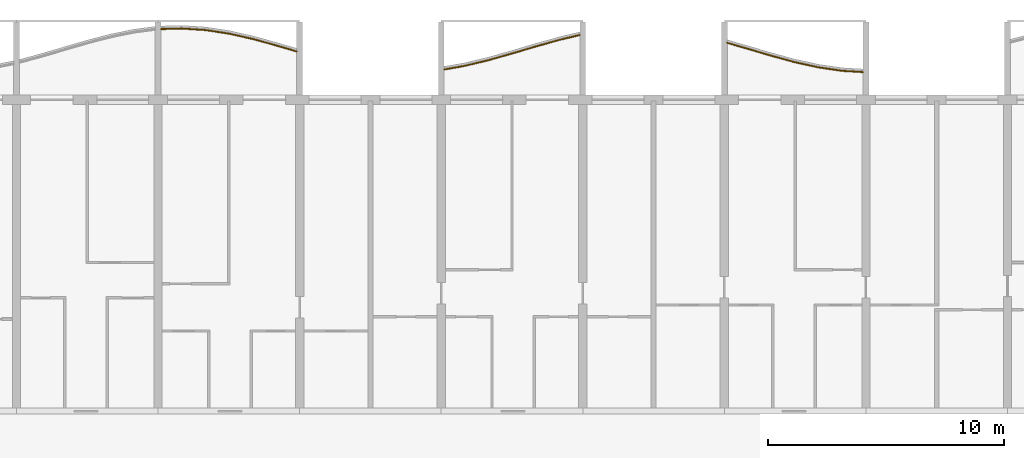
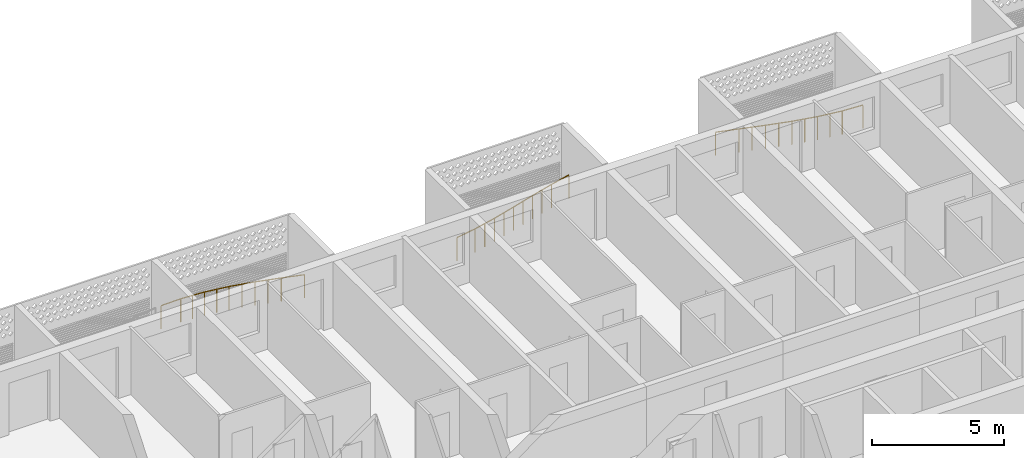
# One storey, part 21 of 25: 3 railings.
"""IFC4 building model written with IfcOpenShell, lengths in metres."""

from ifc_helpers import new_model, si_unit, direction, frame, origin, origin_2d, place, context, subcontext, project, spatial, circle, extrude, material, type_object, element, save


model = new_model("IFC4")

# Units and contexts
model_context = context("Model", 3, precision=1e-05, world=origin(), true_north=direction((0.0, 1.0)))
body_context = subcontext(model_context, "Body", "Model", "MODEL_VIEW")
ifc_project = project(units=[si_unit("LENGTHUNIT", "METRE"), si_unit("AREAUNIT", "SQUARE_METRE"), si_unit("VOLUMEUNIT", "CUBIC_METRE"), si_unit("PLANEANGLEUNIT", "RADIAN"), si_unit("MASSUNIT", "GRAM", prefix="KILO")], contexts=[model_context])

# Site, building, storey
site_placement = place(None, origin())
site = spatial("IfcSite", under=ifc_project, at=site_placement, CompositionType="ELEMENT")
building_placement = place(site_placement, origin())
building = spatial("IfcBuilding", under=site, at=building_placement, Name="Poui Terraces", CompositionType="ELEMENT")
storey_placement = place(building_placement, frame((0.0, 0.0, 89.39990234375)))
storey = spatial("IfcBuildingStorey", under=building, at=storey_placement, Name="L24", CompositionType="ELEMENT", Elevation=89.39990234375)

# Railings
ifc_material = material(Name="Painted steel fretwork", Category="steel")
railing_type = type_object("IfcRailingType", Name="BALCONY GUARD 1100", PredefinedType="GUARDRAIL", material=ifc_material)
railing_1_placement = place(storey_placement, frame((36.125, 46.595947265625, 0.0)))
element("IfcRailing", 1, at=railing_1_placement, inside=storey, type_object=railing_type, Name="BALCONY GUARD", PredefinedType="GUARDRAIL", context=body_context, shape_type="SweptSolid", body=[
    extrude(circle(Radius=0.02392578125, at=origin_2d()), frame((0.0, 0.0, 1.076171875), z_axis=(0.999663503425, 0.025939929079, 0.0), x_axis=(-0.025939929079, 0.999663503425, 0.0)), (0.0, 0.0, 1.0), 0.875244140625),
    extrude(circle(Radius=0.02392578125, at=origin_2d()), frame((0.875, 0.022705078125, 1.076171875), z_axis=(0.998006805525, -0.063106387361, 0.0), x_axis=(0.063106387361, 0.998006805525, 0.0)), (0.0, 0.0, 1.0), 1.001953125),
    extrude(circle(Radius=0.02392578125, at=origin_2d()), frame((1.875, -0.04052734375, 1.076171875), z_axis=(0.988665614785, -0.15013428037, 0.0), x_axis=(0.15013428037, 0.988665614785, 0.0)), (0.0, 0.0, 1.0), 1.011474609375),
    extrude(circle(Radius=0.02392578125, at=origin_2d()), frame((2.875, -0.1923828125, 1.076171875), z_axis=(0.975640353268, -0.219376163418, 0.0), x_axis=(0.219376163418, 0.975640353268, 0.0)), (0.0, 0.0, 1.0), 1.02490234375),
    extrude(circle(Radius=0.02392578125, at=origin_2d()), frame((3.875, -0.417236328125, 1.076171875), z_axis=(0.964349713042, -0.264631122426, 0.0), x_axis=(0.264631122426, 0.964349713042, 0.0)), (0.0, 0.0, 1.0), 1.036865234375),
    extrude(circle(Radius=0.02392578125, at=origin_2d()), frame((4.875, -0.691650390625, 1.076171875), z_axis=(0.958865561228, -0.283860591647, 0.0), x_axis=(0.283860591647, 0.958865561228, 0.0)), (0.0, 0.0, 1.0), 0.91259765625),
    extrude(circle(Radius=0.02099609375, at=origin_2d()), origin(), (0.0, 0.0, 1.0), 1.052001953125),
    extrude(circle(Radius=0.02099609375, at=origin_2d()), frame((0.875, 0.022705078125, 0.0)), (0.0, 0.0, 1.0), 1.052001953125),
    extrude(circle(Radius=0.02099609375, at=origin_2d()), frame((1.375, -0.0087890625, 0.0)), (0.0, 0.0, 1.0), 1.052001953125),
    extrude(circle(Radius=0.02099609375, at=origin_2d()), frame((1.875, -0.04052734375, 0.0)), (0.0, 0.0, 1.0), 1.052001953125),
    extrude(circle(Radius=0.02099609375, at=origin_2d()), frame((2.375, -0.116455078125, 0.0)), (0.0, 0.0, 1.0), 1.052001953125),
    extrude(circle(Radius=0.02099609375, at=origin_2d()), frame((2.875, -0.1923828125, 0.0)), (0.0, 0.0, 1.0), 1.052001953125),
    extrude(circle(Radius=0.02099609375, at=origin_2d()), frame((3.375, -0.3046875, 0.0)), (0.0, 0.0, 1.0), 1.052001953125),
    extrude(circle(Radius=0.02099609375, at=origin_2d()), frame((3.875, -0.417236328125, 0.0)), (0.0, 0.0, 1.0), 1.052001953125),
    extrude(circle(Radius=0.02099609375, at=origin_2d()), frame((4.375, -0.554443359375, 0.0)), (0.0, 0.0, 1.0), 1.052001953125),
    extrude(circle(Radius=0.02099609375, at=origin_2d()), frame((4.875, -0.691650390625, 0.0)), (0.0, 0.0, 1.0), 1.052001953125),
    extrude(circle(Radius=0.02099609375, at=origin_2d()), frame((5.75, -0.95068359375, 0.0)), (0.0, 0.0, 1.0), 1.052001953125),
])
railing_2_placement = place(storey_placement, frame((48.125, 44.8818359375, 0.0)))
element("IfcRailing", 2, at=railing_2_placement, inside=storey, type_object=railing_type, Name="BALCONY GUARD", PredefinedType="GUARDRAIL", context=body_context, shape_type="SweptSolid", body=[
    extrude(circle(Radius=0.02392578125, at=origin_2d()), frame((0.0, 0.0, 1.076171875), z_axis=(0.984711559518, 0.174192837258, 0.0), x_axis=(-0.174192837258, 0.984711559518, 0.0)), (0.0, 0.0, 1.0), 0.888671875),
    extrude(circle(Radius=0.02392578125, at=origin_2d()), frame((0.875, 0.15478515625, 1.076171875), z_axis=(0.972497106951, 0.232914956523, 0.0), x_axis=(-0.232914956523, 0.972497106951, 0.0)), (0.0, 0.0, 1.0), 1.0283203125),
    extrude(circle(Radius=0.02392578125, at=origin_2d()), frame((1.875, 0.394287109375, 1.076171875), z_axis=(0.962282666556, 0.272051593719, 0.0), x_axis=(-0.272051593719, 0.962282666556, 0.0)), (0.0, 0.0, 1.0), 1.039306640625),
    extrude(circle(Radius=0.02392578125, at=origin_2d()), frame((2.875, 0.677001953125, 1.076171875), z_axis=(0.958646866278, 0.284598288426, 0.0), x_axis=(-0.284598288426, 0.958646866278, 0.0)), (0.0, 0.0, 1.0), 1.043212890625),
    extrude(circle(Radius=0.02392578125, at=origin_2d()), frame((3.875, 0.973876953125, 1.076171875), z_axis=(0.962956694383, 0.269656086049, 0.0), x_axis=(-0.269656086049, 0.962956694383, 0.0)), (0.0, 0.0, 1.0), 1.03857421875),
    extrude(circle(Radius=0.02392578125, at=origin_2d()), frame((4.875, 1.25390625, 1.076171875), z_axis=(0.972642909815, 0.232305337835, 0.0), x_axis=(-0.232305337835, 0.972642909815, 0.0)), (0.0, 0.0, 1.0), 0.899658203125),
    extrude(circle(Radius=0.02099609375, at=origin_2d()), origin(), (0.0, 0.0, 1.0), 1.052001953125),
    extrude(circle(Radius=0.02099609375, at=origin_2d()), frame((0.875, 0.15478515625, 0.0)), (0.0, 0.0, 1.0), 1.052001953125),
    extrude(circle(Radius=0.02099609375, at=origin_2d()), frame((1.375, 0.2744140625, 0.0)), (0.0, 0.0, 1.0), 1.052001953125),
    extrude(circle(Radius=0.02099609375, at=origin_2d()), frame((1.875, 0.394287109375, 0.0)), (0.0, 0.0, 1.0), 1.052001953125),
    extrude(circle(Radius=0.02099609375, at=origin_2d()), frame((2.375, 0.53564453125, 0.0)), (0.0, 0.0, 1.0), 1.052001953125),
    extrude(circle(Radius=0.02099609375, at=origin_2d()), frame((2.875, 0.677001953125, 0.0)), (0.0, 0.0, 1.0), 1.052001953125),
    extrude(circle(Radius=0.02099609375, at=origin_2d()), frame((3.375, 0.825439453125, 0.0)), (0.0, 0.0, 1.0), 1.052001953125),
    extrude(circle(Radius=0.02099609375, at=origin_2d()), frame((3.875, 0.973876953125, 0.0)), (0.0, 0.0, 1.0), 1.052001953125),
    extrude(circle(Radius=0.02099609375, at=origin_2d()), frame((4.375, 1.11376953125, 0.0)), (0.0, 0.0, 1.0), 1.052001953125),
    extrude(circle(Radius=0.02099609375, at=origin_2d()), frame((4.875, 1.25390625, 0.0)), (0.0, 0.0, 1.0), 1.052001953125),
    extrude(circle(Radius=0.02099609375, at=origin_2d()), frame((5.75, 1.462890625, 0.0)), (0.0, 0.0, 1.0), 1.052001953125),
])
railing_3_placement = place(storey_placement, frame((60.125, 46.011474609375, 0.0)))
element("IfcRailing", 3, at=railing_3_placement, inside=storey, type_object=railing_type, Name="BALCONY GUARD", PredefinedType="GUARDRAIL", context=body_context, shape_type="SweptSolid", body=[
    extrude(circle(Radius=0.02392578125, at=origin_2d()), frame((0.0, 0.0, 1.076171875), z_axis=(0.960239707098, -0.279176834485, 0.0), x_axis=(0.279176834485, 0.960239707098, 0.0)), (0.0, 0.0, 1.0), 0.9111328125),
    extrude(circle(Radius=0.02392578125, at=origin_2d()), frame((0.875, -0.25439453125, 1.076171875), z_axis=(0.959029275123, -0.283306988012, 0.0), x_axis=(0.283306988012, 0.959029275123, 0.0)), (0.0, 0.0, 1.0), 1.042724609375),
    extrude(circle(Radius=0.02392578125, at=origin_2d()), frame((1.875, -0.5498046875, 1.076171875), z_axis=(0.965067658743, -0.262000790167, 0.0), x_axis=(0.262000790167, 0.965067658743, 0.0)), (0.0, 0.0, 1.0), 1.0361328125),
    extrude(circle(Radius=0.02392578125, at=origin_2d()), frame((2.875, -0.8212890625, 1.076171875), z_axis=(0.97675043296, -0.214379550593, 0.0), x_axis=(0.214379550593, 0.97675043296, 0.0)), (0.0, 0.0, 1.0), 1.023681640625),
    extrude(circle(Radius=0.02392578125, at=origin_2d()), frame((3.875, -1.040771484375, 1.076171875), z_axis=(0.989647671833, -0.143518241472, 0.0), x_axis=(0.143518241472, 0.989647671833, 0.0)), (0.0, 0.0, 1.0), 1.010498046875),
    extrude(circle(Radius=0.02392578125, at=origin_2d()), frame((4.875, -1.185791015625, 1.076171875), z_axis=(0.998138306731, -0.060991152113, 0.0), x_axis=(0.060991152113, 0.998138306731, 0.0)), (0.0, 0.0, 1.0), 0.876708984375),
    extrude(circle(Radius=0.02099609375, at=origin_2d()), origin(), (0.0, 0.0, 1.0), 1.052001953125),
    extrude(circle(Radius=0.02099609375, at=origin_2d()), frame((0.875, -0.25439453125, 0.0)), (0.0, 0.0, 1.0), 1.052001953125),
    extrude(circle(Radius=0.02099609375, at=origin_2d()), frame((1.375, -0.402099609375, 0.0)), (0.0, 0.0, 1.0), 1.052001953125),
    extrude(circle(Radius=0.02099609375, at=origin_2d()), frame((1.875, -0.5498046875, 0.0)), (0.0, 0.0, 1.0), 1.052001953125),
    extrude(circle(Radius=0.02099609375, at=origin_2d()), frame((2.375, -0.685546875, 0.0)), (0.0, 0.0, 1.0), 1.052001953125),
    extrude(circle(Radius=0.02099609375, at=origin_2d()), frame((2.875, -0.8212890625, 0.0)), (0.0, 0.0, 1.0), 1.052001953125),
    extrude(circle(Radius=0.02099609375, at=origin_2d()), frame((3.375, -0.93115234375, 0.0)), (0.0, 0.0, 1.0), 1.052001953125),
    extrude(circle(Radius=0.02099609375, at=origin_2d()), frame((3.875, -1.040771484375, 0.0)), (0.0, 0.0, 1.0), 1.052001953125),
    extrude(circle(Radius=0.02099609375, at=origin_2d()), frame((4.375, -1.11328125, 0.0)), (0.0, 0.0, 1.0), 1.052001953125),
    extrude(circle(Radius=0.02099609375, at=origin_2d()), frame((4.875, -1.185791015625, 0.0)), (0.0, 0.0, 1.0), 1.052001953125),
    extrude(circle(Radius=0.02099609375, at=origin_2d()), frame((5.75, -1.2392578125, 0.0)), (0.0, 0.0, 1.0), 1.052001953125),
])

save(model, "model.ifc")
